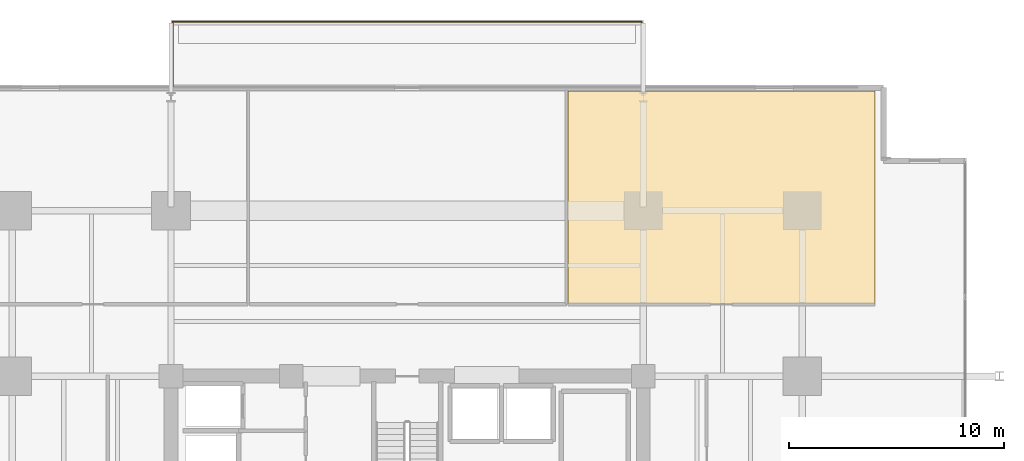
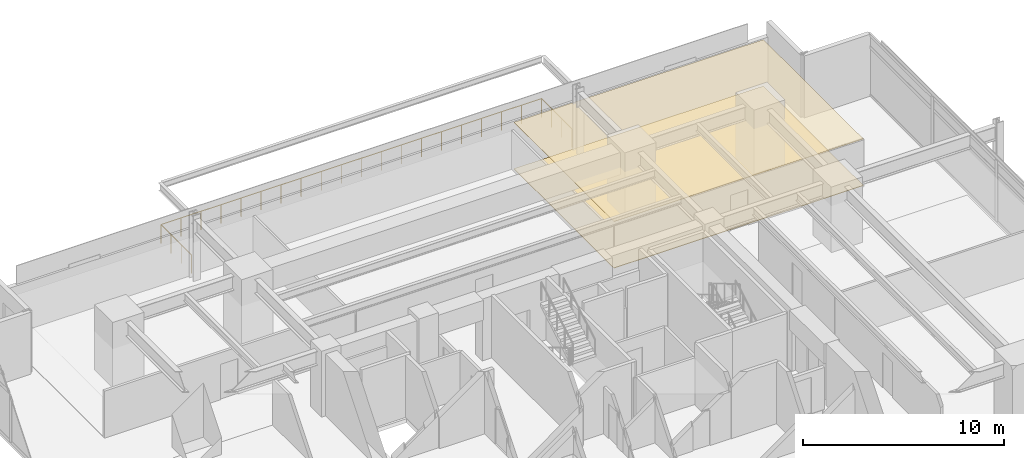
# One storey, part 25 of 25: 2 coverings, 1 railing.
"""IFC4 building model written with IfcOpenShell, lengths in metres."""

from ifc_helpers import new_model, si_unit, direction, frame, origin, origin_2d, place, context, subcontext, project, spatial, polyline, circle, outline, extrude, material, layer, layer_set, type_object, element, save


model = new_model("IFC4")

# Units and contexts
model_context = context("Model", 3, precision=1e-05, world=origin(), true_north=direction((0.0, 1.0)))
body_context = subcontext(model_context, "Body", "Model", "MODEL_VIEW")
ifc_project = project(units=[si_unit("LENGTHUNIT", "METRE"), si_unit("AREAUNIT", "SQUARE_METRE"), si_unit("VOLUMEUNIT", "CUBIC_METRE"), si_unit("PLANEANGLEUNIT", "RADIAN"), si_unit("MASSUNIT", "GRAM", prefix="KILO")], contexts=[model_context])

# Site, building, storey
site_placement = place(None, origin())
site = spatial("IfcSite", under=ifc_project, at=site_placement, CompositionType="ELEMENT")
building_placement = place(site_placement, origin())
building = spatial("IfcBuilding", under=site, at=building_placement, Name="Kovane Verandah Tower", CompositionType="ELEMENT")
storey_placement = place(building_placement, frame((0.0, 0.0, 67.60009765625)))
storey = spatial("IfcBuildingStorey", under=building, at=storey_placement, Name="L15", CompositionType="ELEMENT", Elevation=67.60009765625)

# Coverings
ifc_material_1 = material(Name="Perforated Acoustic Mineral-Fibre Ceiling Tile", Category="gypsum")
ifc_layer_1 = layer(ifc_material_1, 0.02490234375)
ifc_layer_set_1 = layer_set([ifc_layer_1], Name="Perforated Acoustic Mineral-Fibre Ceiling Tile")
covering_type_1 = type_object("IfcCoveringType", Name="CV-CEIL-25", PredefinedType="CEILING", material=ifc_layer_set_1)
covering_1_placement = place(storey_placement, frame((0.0, 0.0, 2.824951171875)))
element("IfcCovering", 1, at=covering_1_placement, inside=storey, type_object=covering_type_1, Name="L15 Breakout Pantry N3 Acoustic Ceiling", PredefinedType="CEILING", context=body_context, shape_type="SweptSolid", body=[
    extrude(outline(polyline([(47.482421875, 39.85009765625), (61.801025390625, 39.85009765625), (61.801025390625, 49.790771484375), (47.482421875, 49.790771484375), (47.482421875, 39.85009765625)])), origin(), (0.0, 0.0, 1.0), 0.02490234375),
])
ifc_material_2 = material(Name="Polished Terrazzo and Raised-Access Carpet Tile Finish", Category="concrete")
ifc_layer_2 = layer(ifc_material_2, 0.030029296875)
ifc_layer_set_2 = layer_set([ifc_layer_2], Name="Polished Terrazzo and Raised-Access Carpet Tile Finish")
covering_type_2 = type_object("IfcCoveringType", Name="CV-FLOR-30", PredefinedType="FLOORING", material=ifc_layer_set_2)
covering_2_placement = place(storey_placement, origin())
element("IfcCovering", 2, at=covering_2_placement, inside=storey, type_object=covering_type_2, Name="L15 Breakout Pantry N3 Floor Finish", PredefinedType="FLOORING", context=body_context, shape_type="SweptSolid", body=[
    extrude(outline(polyline([(47.482421875, 39.85009765625), (61.801025390625, 39.85009765625), (61.801025390625, 49.790771484375), (47.482421875, 49.790771484375), (47.482421875, 39.85009765625)])), origin(), (0.0, 0.0, 1.0), 0.02978515625),
])

# Railing
ifc_material_3 = material(Name="Laminated Glass and Pale-Champagne Stainless Balustrade", Category="glass")
railing_type = type_object("IfcRailingType", Name="RL-BAL-1150", PredefinedType="BALUSTRADE", material=ifc_material_3)
railing_placement = place(storey_placement, frame((29.080078125, 49.99072265625, 0.0)))
element("IfcRailing", 3, at=railing_placement, inside=storey, type_object=railing_type, Name="L15 N Verandah Glass Balustrade", PredefinedType="BALUSTRADE", context=body_context, shape_type="SweptSolid", body=[
    extrude(circle(Radius=0.02392578125, at=origin_2d()), frame((0.0, 0.0, 1.1259765625), z_axis=(0.0, 1.0, 0.0), x_axis=(-1.0, 0.0, 0.0)), (0.0, 0.0, 1.0), 3.02001953125),
    extrude(circle(Radius=0.02392578125, at=origin_2d()), frame((0.0, 3.02001953125, 1.1259765625), z_axis=(1.0, 0.0, 0.0), x_axis=(0.0, 1.0, 0.0)), (0.0, 0.0, 1.0), 21.83984375),
    extrude(circle(Radius=0.02392578125, at=origin_2d()), frame((21.83984375, 3.02001953125, 1.1259765625), z_axis=(0.0, -1.0, 0.0), x_axis=(1.0, 0.0, 0.0)), (0.0, 0.0, 1.0), 3.02001953125),
    extrude(circle(Radius=0.02099609375, at=origin_2d()), origin(), (0.0, 0.0, 1.0), 1.101806640625),
    extrude(circle(Radius=0.02099609375, at=origin_2d()), frame((0.0, 1.006591796875, 0.0)), (0.0, 0.0, 1.0), 1.101806640625),
    extrude(circle(Radius=0.02099609375, at=origin_2d()), frame((0.0, 2.013427734375, 0.0)), (0.0, 0.0, 1.0), 1.101806640625),
    extrude(circle(Radius=0.02099609375, at=origin_2d()), frame((0.0, 3.02001953125, 0.0)), (0.0, 0.0, 1.0), 1.101806640625),
    extrude(circle(Radius=0.02099609375, at=origin_2d()), frame((1.1494140625, 3.02001953125, 0.0)), (0.0, 0.0, 1.0), 1.101806640625),
    extrude(circle(Radius=0.02099609375, at=origin_2d()), frame((2.298828125, 3.02001953125, 0.0)), (0.0, 0.0, 1.0), 1.101806640625),
    extrude(circle(Radius=0.02099609375, at=origin_2d()), frame((3.448486328125, 3.02001953125, 0.0)), (0.0, 0.0, 1.0), 1.101806640625),
    extrude(circle(Radius=0.02099609375, at=origin_2d()), frame((4.597900390625, 3.02001953125, 0.0)), (0.0, 0.0, 1.0), 1.101806640625),
    extrude(circle(Radius=0.02099609375, at=origin_2d()), frame((5.747314453125, 3.02001953125, 0.0)), (0.0, 0.0, 1.0), 1.101806640625),
    extrude(circle(Radius=0.02099609375, at=origin_2d()), frame((6.896728515625, 3.02001953125, 0.0)), (0.0, 0.0, 1.0), 1.101806640625),
    extrude(circle(Radius=0.02099609375, at=origin_2d()), frame((8.046142578125, 3.02001953125, 0.0)), (0.0, 0.0, 1.0), 1.101806640625),
    extrude(circle(Radius=0.02099609375, at=origin_2d()), frame((9.19580078125, 3.02001953125, 0.0)), (0.0, 0.0, 1.0), 1.101806640625),
    extrude(circle(Radius=0.02099609375, at=origin_2d()), frame((10.34521484375, 3.02001953125, 0.0)), (0.0, 0.0, 1.0), 1.101806640625),
    extrude(circle(Radius=0.02099609375, at=origin_2d()), frame((11.49462890625, 3.02001953125, 0.0)), (0.0, 0.0, 1.0), 1.101806640625),
    extrude(circle(Radius=0.02099609375, at=origin_2d()), frame((12.64404296875, 3.02001953125, 0.0)), (0.0, 0.0, 1.0), 1.101806640625),
    extrude(circle(Radius=0.02099609375, at=origin_2d()), frame((13.793701171875, 3.02001953125, 0.0)), (0.0, 0.0, 1.0), 1.101806640625),
    extrude(circle(Radius=0.02099609375, at=origin_2d()), frame((14.943115234375, 3.02001953125, 0.0)), (0.0, 0.0, 1.0), 1.101806640625),
    extrude(circle(Radius=0.02099609375, at=origin_2d()), frame((16.092529296875, 3.02001953125, 0.0)), (0.0, 0.0, 1.0), 1.101806640625),
    extrude(circle(Radius=0.02099609375, at=origin_2d()), frame((17.241943359375, 3.02001953125, 0.0)), (0.0, 0.0, 1.0), 1.101806640625),
    extrude(circle(Radius=0.02099609375, at=origin_2d()), frame((18.391357421875, 3.02001953125, 0.0)), (0.0, 0.0, 1.0), 1.101806640625),
    extrude(circle(Radius=0.02099609375, at=origin_2d()), frame((19.541015625, 3.02001953125, 0.0)), (0.0, 0.0, 1.0), 1.101806640625),
    extrude(circle(Radius=0.02099609375, at=origin_2d()), frame((20.6904296875, 3.02001953125, 0.0)), (0.0, 0.0, 1.0), 1.101806640625),
    extrude(circle(Radius=0.02099609375, at=origin_2d()), frame((21.83984375, 3.02001953125, 0.0)), (0.0, 0.0, 1.0), 1.101806640625),
    extrude(circle(Radius=0.02099609375, at=origin_2d()), frame((21.83984375, 2.013427734375, 0.0)), (0.0, 0.0, 1.0), 1.101806640625),
    extrude(circle(Radius=0.02099609375, at=origin_2d()), frame((21.83984375, 1.006591796875, 0.0)), (0.0, 0.0, 1.0), 1.101806640625),
    extrude(circle(Radius=0.02099609375, at=origin_2d()), frame((21.83984375, 0.0, 0.0)), (0.0, 0.0, 1.0), 1.101806640625),
])

save(model, "model.ifc")
